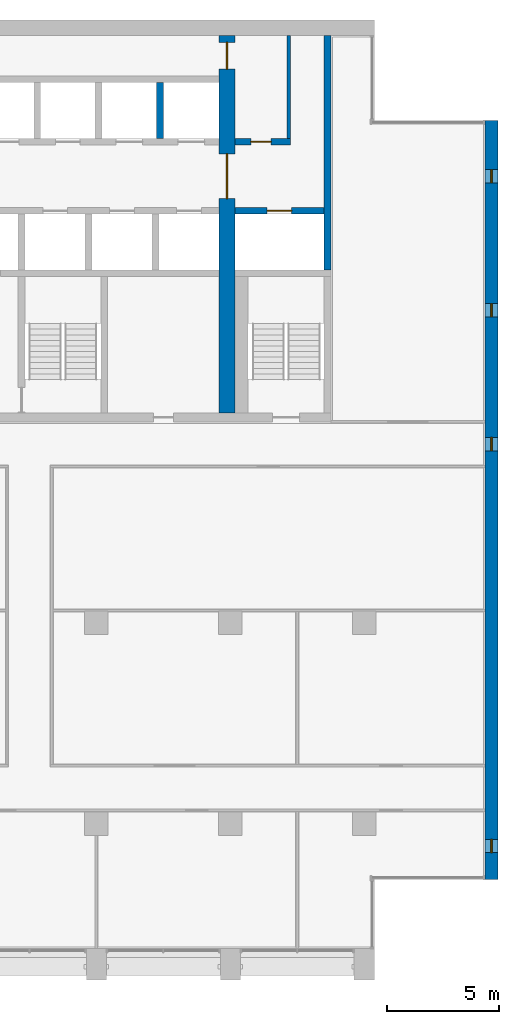
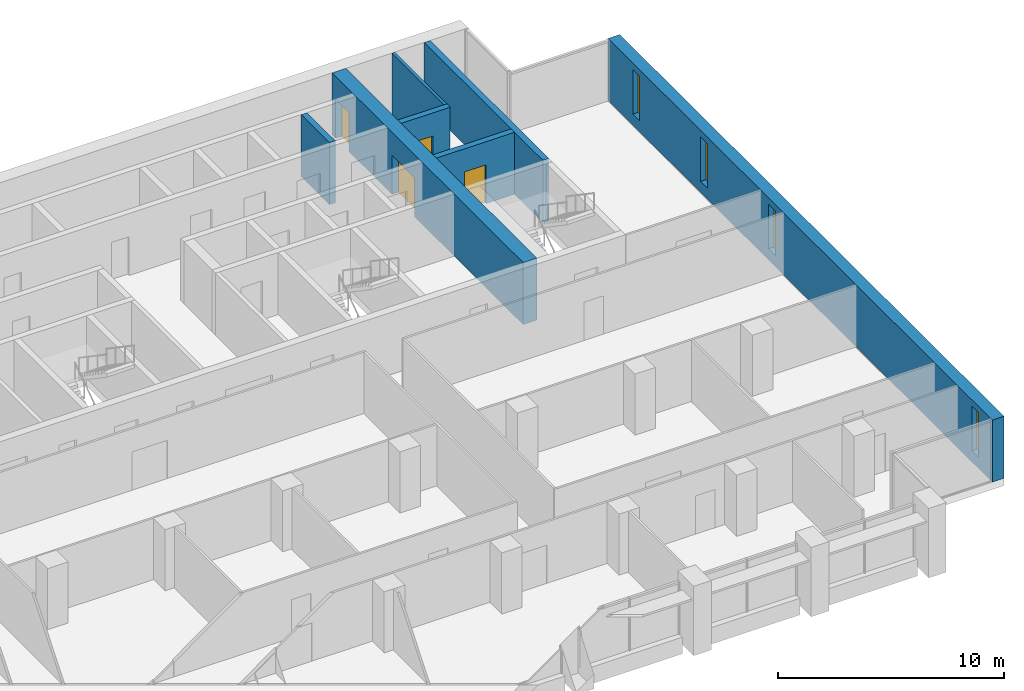
# One storey, part 12 of 17: 7 walls, 4 doors, 4 windows, 8 openings.
"""IFC4 building model written with IfcOpenShell, lengths in metres."""

from ifc_helpers import new_model, si_unit, direction, frame, frame_2d, origin, place, context, subcontext, project, spatial, rectangle, extrude, material, layer, layer_set, type_object, element, fill, save


model = new_model("IFC4")

# Units and contexts
model_context = context("Model", 3, precision=1e-05, world=origin(), true_north=direction((0.0, 1.0)))
body_context = subcontext(model_context, "Body", "Model", "MODEL_VIEW")
ifc_project = project(units=[si_unit("LENGTHUNIT", "METRE"), si_unit("AREAUNIT", "SQUARE_METRE"), si_unit("VOLUMEUNIT", "CUBIC_METRE"), si_unit("PLANEANGLEUNIT", "RADIAN"), si_unit("MASSUNIT", "GRAM", prefix="KILO")], contexts=[model_context])

# Site, building, storey
site_placement = place(None, origin())
site = spatial("IfcSite", under=ifc_project, at=site_placement, CompositionType="ELEMENT")
building_placement = place(site_placement, origin())
building = spatial("IfcBuilding", under=site, at=building_placement, Name="Calvaro Tower", CompositionType="ELEMENT")
storey_placement = place(building_placement, frame((0.0, 0.0, 204.25)))
storey = spatial("IfcBuildingStorey", under=building, at=storey_placement, Name="L51", CompositionType="ELEMENT", Elevation=204.25)

# Wall
ifc_material_1 = material(Name="Blockwork partition", Category="masonry")
ifc_layer_1 = layer(ifc_material_1, 0.14990234375)
ifc_layer_set_1 = layer_set([ifc_layer_1], Name="Blockwork partition")
wall_type_1 = type_object("IfcWallType", Name="Core partition 150 REI 120", PredefinedType="PARTITIONING", material=ifc_layer_set_1)
wall_1_placement = place(storey_placement, frame((62.625, 40.699951171875, 0.0), z_axis=(0.0, 0.0, 1.0), x_axis=(0.0, 1.0, 0.0)))
element("IfcWall", 1, at=wall_1_placement, inside=storey, type_object=wall_type_1, Name="Core partition", PredefinedType="PARTITIONING", context=body_context, shape_type="SweptSolid", body=[
    extrude(rectangle(XDim=4.60009765625, YDim=0.14990234375, at=frame_2d((2.300048828125, 0.0))), origin(), (0.0, 0.0, 1.0), 3.35009765625),
])

# Wall, opening, door
ifc_material_2 = material(Name="Blockwork partition", Category="masonry")
ifc_layer_2 = layer(ifc_material_2, 0.300048828125)
ifc_layer_set_2 = layer_set([ifc_layer_2], Name="Blockwork partition")
wall_type_2 = type_object("IfcWallType", Name="Core partition 300 REI 120", PredefinedType="PARTITIONING", material=ifc_layer_set_2)
wall_2_placement = place(storey_placement, frame((60.199951171875, 40.550048828125, 0.0), z_axis=(0.0, 0.0, 1.0), x_axis=(1.0, 0.0, 0.0)))
wall_2 = element("IfcWall", 2, at=wall_2_placement, inside=storey, type_object=wall_type_2, Name="Core partition", PredefinedType="PARTITIONING", context=body_context, shape_type="SweptSolid", body=[
    extrude(rectangle(XDim=2.5, YDim=0.300048828125, at=frame_2d((1.25, 0.0))), origin(), (0.0, 0.0, 1.0), 3.35009765625),
])
opening_1_placement = place(wall_2_placement, frame((0.72509765625, 0.0, 0.0)))
opening_1 = element("IfcOpeningElement", 3, at=opening_1_placement, cuts=wall_2, Name="Opening RD9C", PredefinedType="OPENING", context=body_context, shape_type="SweptSolid", body=[
    extrude(rectangle(XDim=0.89990234375, YDim=2.10009765625, at=frame_2d((0.449951171875, 1.050048828125))), frame((0.0, 0.159912109375, 0.0), z_axis=(0.0, -1.0, 0.0), x_axis=(1.0, 0.0, 0.0)), (0.0, 0.0, 1.0), 0.320068359375),
])
ifc_material_3 = material(Name="Steel door set", Category="steel")
door_type_1 = type_object("IfcDoorType", Name="Room door 900 FD30", OperationType="SINGLE_SWING_LEFT", PredefinedType="DOOR", material=ifc_material_3)
door_1_placement = place(opening_1_placement, origin())
door_1 = element("IfcDoor", 4, at=door_1_placement, inside=storey, type_object=door_type_1, Name="Room door", OperationType="SINGLE_SWING_LEFT", OverallHeight=2.10009765625, OverallWidth=0.89990234375, PredefinedType="DOOR", context=body_context, shape_type="SweptSolid", body=[
    extrude(rectangle(XDim=0.89990234375, YDim=2.10009765625, at=frame_2d((0.449951171875, 1.050048828125))), frame((0.0, 0.02490234375, 0.0), z_axis=(0.0, -1.0, 0.0), x_axis=(1.0, 0.0, 0.0)), (0.0, 0.0, 1.0), 0.050048828125),
])
fill(opening_1, door_1)

# Wall
ifc_material_4 = material(Name="Concrete C50/60", Category="concrete")
ifc_layer_3 = layer(ifc_material_4, 0.300048828125)
ifc_layer_set_3 = layer_set([ifc_layer_3], Name="Concrete C50/60")
wall_type_3 = type_object("IfcWallType", Name="Core wall C50/60 300", PredefinedType="SHEAR", material=ifc_layer_set_3)
wall_3_placement = place(storey_placement, frame((64.35009765625, 34.800048828125, 0.0), z_axis=(0.0, 0.0, 1.0), x_axis=(0.0, 1.0, 0.0)))
element("IfcWall", 5, at=wall_3_placement, inside=storey, type_object=wall_type_3, Name="Core wall, boundary", PredefinedType="SHEAR", context=body_context, shape_type="SweptSolid", body=[
    extrude(rectangle(XDim=10.5, YDim=0.300048828125, at=frame_2d((5.25, 0.0))), origin(), (0.0, 0.0, 1.0), 3.35009765625),
])

# Wall, opening, door
wall_4_placement = place(storey_placement, frame((60.199951171875, 37.449951171875, 0.0), z_axis=(0.0, 0.0, 1.0), x_axis=(1.0, 0.0, 0.0)))
wall_4 = element("IfcWall", 6, at=wall_4_placement, inside=storey, type_object=wall_type_3, Name="Core wall, lift shaft", PredefinedType="SHEAR", context=body_context, shape_type="SweptSolid", body=[
    extrude(rectangle(XDim=4.0, YDim=0.300048828125, at=frame_2d((2.0, 0.0))), origin(), (0.0, 0.0, 1.0), 3.35009765625),
])
opening_2_placement = place(wall_4_placement, frame((1.449951171875, 0.0, 0.0)))
opening_2 = element("IfcOpeningElement", 7, at=opening_2_placement, cuts=wall_4, Name="Opening FF3", PredefinedType="OPENING", context=body_context, shape_type="SweptSolid", body=[
    extrude(rectangle(XDim=1.10009765625, YDim=2.10009765625, at=frame_2d((0.550048828125, 1.050048828125))), frame((0.0, 0.159912109375, 0.0), z_axis=(0.0, -1.0, 0.0), x_axis=(1.0, 0.0, 0.0)), (0.0, 0.0, 1.0), 0.320068359375),
])
ifc_material_5 = material(Name="Stainless steel", Category="steel")
door_type_2 = type_object("IfcDoorType", Name="Landing door 1100 E 60", OperationType="SLIDING_TO_LEFT", PredefinedType="DOOR", material=ifc_material_5)
door_2_placement = place(opening_2_placement, origin())
door_2 = element("IfcDoor", 8, at=door_2_placement, inside=storey, type_object=door_type_2, Name="Landing door FF3", OperationType="SLIDING_TO_LEFT", OverallHeight=2.10009765625, OverallWidth=1.10009765625, PredefinedType="DOOR", context=body_context, shape_type="SweptSolid", body=[
    extrude(rectangle(XDim=1.10009765625, YDim=2.10009765625, at=frame_2d((0.550048828125, 1.050048828125))), frame((0.0, 0.02490234375, 0.0), z_axis=(0.0, -1.0, 0.0), x_axis=(1.0, 0.0, 0.0)), (0.0, 0.0, 1.0), 0.050048828125),
])
fill(opening_2, door_2)

# Wall
wall_5_placement = place(storey_placement, frame((56.85009765625, 40.699951171875, 0.0), z_axis=(0.0, 0.0, 1.0), x_axis=(0.0, 1.0, 0.0)))
element("IfcWall", 9, at=wall_5_placement, inside=storey, type_object=wall_type_3, Name="Core wall, lift shaft", PredefinedType="SHEAR", context=body_context, shape_type="SweptSolid", body=[
    extrude(rectangle(XDim=2.5, YDim=0.300048828125, at=frame_2d((1.25, 0.0))), origin(), (0.0, 0.0, 1.0), 3.35009765625),
])

# Wall, openings, doors
ifc_material_6 = material(Name="Concrete C50/60", Category="concrete")
ifc_layer_4 = layer(ifc_material_6, 0.699951171875)
ifc_layer_set_4 = layer_set([ifc_layer_4], Name="Concrete C50/60")
wall_type_4 = type_object("IfcWallType", Name="Core wall C50/60 700", PredefinedType="SHEAR", material=ifc_layer_set_4)
wall_6_placement = place(storey_placement, frame((59.85009765625, 28.39990234375, 0.0), z_axis=(0.0, 0.0, 1.0), x_axis=(0.0, 1.0, 0.0)))
wall_6 = element("IfcWall", 10, at=wall_6_placement, inside=storey, type_object=wall_type_4, Name="Core wall, cross shear wall", PredefinedType="SHEAR", context=body_context, shape_type="SweptSolid", body=[
    extrude(rectangle(XDim=16.900146484375, YDim=0.699951171875, at=frame_2d((8.4501953125, 0.0))), origin(), (0.0, 0.0, 1.0), 3.35009765625),
])
opening_3_placement = place(wall_6_placement, frame((9.60009765625, 0.0, 0.0)))
opening_3 = element("IfcOpeningElement", 11, at=opening_3_placement, cuts=wall_6, Name="Opening DD20D", PredefinedType="OPENING", context=body_context, shape_type="SweptSolid", body=[
    extrude(rectangle(XDim=2.0, YDim=2.10009765625, at=frame_2d((1.0, 1.050048828125))), frame((0.0, 0.35986328125, 0.0), z_axis=(0.0, -1.0, 0.0), x_axis=(1.0, 0.0, 0.0)), (0.0, 0.0, 1.0), 0.719970703125),
])
opening_4_placement = place(wall_6_placement, frame((15.39990234375, 0.0, 0.0)))
opening_4 = element("IfcOpeningElement", 12, at=opening_4_placement, cuts=wall_6, Name="Opening FD12C", PredefinedType="OPENING", context=body_context, shape_type="SweptSolid", body=[
    extrude(rectangle(XDim=1.199951171875, YDim=2.10009765625, at=frame_2d((0.60009765625, 1.050048828125))), frame((0.0, 0.35986328125, 0.0), z_axis=(0.0, -1.0, 0.0), x_axis=(1.0, 0.0, 0.0)), (0.0, 0.0, 1.0), 0.719970703125),
])
ifc_material_7 = material(Name="Steel door set", Category="steel")
door_type_3 = type_object("IfcDoorType", Name="Fire door 1200 FD30", OperationType="SINGLE_SWING_LEFT", PredefinedType="DOOR", material=ifc_material_7)
door_3_placement = place(opening_4_placement, origin())
door_3 = element("IfcDoor", 13, at=door_3_placement, inside=storey, type_object=door_type_3, Name="Fire door", OperationType="SINGLE_SWING_LEFT", OverallHeight=2.10009765625, OverallWidth=1.199951171875, PredefinedType="DOOR", context=body_context, shape_type="SweptSolid", body=[
    extrude(rectangle(XDim=1.199951171875, YDim=2.10009765625, at=frame_2d((0.60009765625, 1.050048828125))), frame((0.0, 0.02490234375, 0.0), z_axis=(0.0, -1.0, 0.0), x_axis=(1.0, 0.0, 0.0)), (0.0, 0.0, 1.0), 0.050048828125),
])
fill(opening_4, door_3)
ifc_material_8 = material(Name="Steel door set", Category="steel")
door_type_4 = type_object("IfcDoorType", Name="Lobby double door 2000 FD30S", OperationType="DOUBLE_DOOR_SINGLE_SWING", PredefinedType="DOOR", material=ifc_material_8)
door_4_placement = place(opening_3_placement, origin())
door_4 = element("IfcDoor", 14, at=door_4_placement, inside=storey, type_object=door_type_4, Name="Lobby double door", OperationType="DOUBLE_DOOR_SINGLE_SWING", OverallHeight=2.10009765625, OverallWidth=2.0, PredefinedType="DOOR", context=body_context, shape_type="SweptSolid", body=[
    extrude(rectangle(XDim=2.0, YDim=2.10009765625, at=frame_2d((1.0, 1.050048828125))), frame((0.0, 0.02490234375, 0.0), z_axis=(0.0, -1.0, 0.0), x_axis=(1.0, 0.0, 0.0)), (0.0, 0.0, 1.0), 0.050048828125),
])
fill(opening_3, door_4)

# Wall, openings, windows
ifc_material_9 = material(Name="Concrete C50/60", Category="concrete")
ifc_layer_5 = layer(ifc_material_9, 0.60009765625)
ifc_layer_set_5 = layer_set([ifc_layer_5], Name="Concrete C50/60")
wall_type_5 = type_object("IfcWallType", Name="End wall 600 C50/60", PredefinedType="SHEAR", material=ifc_layer_set_5)
wall_7_placement = place(storey_placement, frame((71.699951171875, 7.5, 0.0), z_axis=(0.0, 0.0, 1.0), x_axis=(0.0, 1.0, 0.0)))
wall_7 = element("IfcWall", 15, at=wall_7_placement, inside=storey, type_object=wall_type_5, Name="End shear wall", PredefinedType="SHEAR", context=body_context, shape_type="SweptSolid", body=[
    extrude(rectangle(XDim=34.0, YDim=0.60009765625, at=frame_2d((17.0, 0.0))), origin(), (0.0, 0.0, 1.0), 3.35009765625),
])
opening_5_placement = place(wall_7_placement, frame((1.199951171875, 0.0, 0.60009765625)))
opening_5 = element("IfcOpeningElement", 16, at=opening_5_placement, cuts=wall_7, Name="Opening WE01", PredefinedType="OPENING", context=body_context, shape_type="SweptSolid", body=[
    extrude(rectangle(XDim=0.60009765625, YDim=2.39990234375, at=frame_2d((0.300048828125, 1.199951171875))), frame((0.0, 0.31005859375, 0.0), z_axis=(0.0, -1.0, 0.0), x_axis=(1.0, 0.0, 0.0)), (0.0, 0.0, 1.0), 0.6201171875),
])
opening_6_placement = place(wall_7_placement, frame((19.199951171875, 0.0, 0.60009765625)))
opening_6 = element("IfcOpeningElement", 17, at=opening_6_placement, cuts=wall_7, Name="Opening WE04", PredefinedType="OPENING", context=body_context, shape_type="SweptSolid", body=[
    extrude(rectangle(XDim=0.60009765625, YDim=2.39990234375, at=frame_2d((0.300048828125, 1.199951171875))), frame((0.0, 0.31005859375, 0.0), z_axis=(0.0, -1.0, 0.0), x_axis=(1.0, 0.0, 0.0)), (0.0, 0.0, 1.0), 0.6201171875),
])
opening_7_placement = place(wall_7_placement, frame((25.199951171875, 0.0, 0.60009765625)))
opening_7 = element("IfcOpeningElement", 18, at=opening_7_placement, cuts=wall_7, Name="Opening WE05", PredefinedType="OPENING", context=body_context, shape_type="SweptSolid", body=[
    extrude(rectangle(XDim=0.60009765625, YDim=2.39990234375, at=frame_2d((0.300048828125, 1.199951171875))), frame((0.0, 0.31005859375, 0.0), z_axis=(0.0, -1.0, 0.0), x_axis=(1.0, 0.0, 0.0)), (0.0, 0.0, 1.0), 0.6201171875),
])
opening_8_placement = place(wall_7_placement, frame((31.199951171875, 0.0, 0.60009765625)))
opening_8 = element("IfcOpeningElement", 19, at=opening_8_placement, cuts=wall_7, Name="Opening WE06", PredefinedType="OPENING", context=body_context, shape_type="SweptSolid", body=[
    extrude(rectangle(XDim=0.60009765625, YDim=2.39990234375, at=frame_2d((0.300048828125, 1.199951171875))), frame((0.0, 0.31005859375, 0.0), z_axis=(0.0, -1.0, 0.0), x_axis=(1.0, 0.0, 0.0)), (0.0, 0.0, 1.0), 0.6201171875),
])
ifc_material_10 = material(Name="Glass", Category="glass")
window_type = type_object("IfcWindowType", Name="Slit window 600 x 2400", PartitioningType="SINGLE_PANEL", PredefinedType="WINDOW", material=ifc_material_10)
window_1_placement = place(opening_5_placement, origin())
window_1 = element("IfcWindow", 20, at=window_1_placement, inside=storey, type_object=window_type, Name="Window WE01", OverallHeight=2.39990234375, OverallWidth=0.60009765625, PartitioningType="SINGLE_PANEL", PredefinedType="WINDOW", context=body_context, shape_type="SweptSolid", body=[
    extrude(rectangle(XDim=0.60009765625, YDim=2.39990234375, at=frame_2d((0.300048828125, 1.199951171875))), frame((0.0, 0.030029296875, 0.0), z_axis=(0.0, -1.0, 0.0), x_axis=(1.0, 0.0, 0.0)), (0.0, 0.0, 1.0), 0.06005859375),
])
fill(opening_5, window_1)
window_2_placement = place(opening_6_placement, origin())
window_2 = element("IfcWindow", 21, at=window_2_placement, inside=storey, type_object=window_type, Name="Window WE04", OverallHeight=2.39990234375, OverallWidth=0.60009765625, PartitioningType="SINGLE_PANEL", PredefinedType="WINDOW", context=body_context, shape_type="SweptSolid", body=[
    extrude(rectangle(XDim=0.60009765625, YDim=2.39990234375, at=frame_2d((0.300048828125, 1.199951171875))), frame((0.0, 0.030029296875, 0.0), z_axis=(0.0, -1.0, 0.0), x_axis=(1.0, 0.0, 0.0)), (0.0, 0.0, 1.0), 0.06005859375),
])
fill(opening_6, window_2)
window_3_placement = place(opening_7_placement, origin())
window_3 = element("IfcWindow", 22, at=window_3_placement, inside=storey, type_object=window_type, Name="Window WE05", OverallHeight=2.39990234375, OverallWidth=0.60009765625, PartitioningType="SINGLE_PANEL", PredefinedType="WINDOW", context=body_context, shape_type="SweptSolid", body=[
    extrude(rectangle(XDim=0.60009765625, YDim=2.39990234375, at=frame_2d((0.300048828125, 1.199951171875))), frame((0.0, 0.030029296875, 0.0), z_axis=(0.0, -1.0, 0.0), x_axis=(1.0, 0.0, 0.0)), (0.0, 0.0, 1.0), 0.06005859375),
])
fill(opening_7, window_3)
window_4_placement = place(opening_8_placement, origin())
window_4 = element("IfcWindow", 23, at=window_4_placement, inside=storey, type_object=window_type, Name="Window WE06", OverallHeight=2.39990234375, OverallWidth=0.60009765625, PartitioningType="SINGLE_PANEL", PredefinedType="WINDOW", context=body_context, shape_type="SweptSolid", body=[
    extrude(rectangle(XDim=0.60009765625, YDim=2.39990234375, at=frame_2d((0.300048828125, 1.199951171875))), frame((0.0, 0.030029296875, 0.0), z_axis=(0.0, -1.0, 0.0), x_axis=(1.0, 0.0, 0.0)), (0.0, 0.0, 1.0), 0.06005859375),
])
fill(opening_8, window_4)

save(model, "model.ifc")
